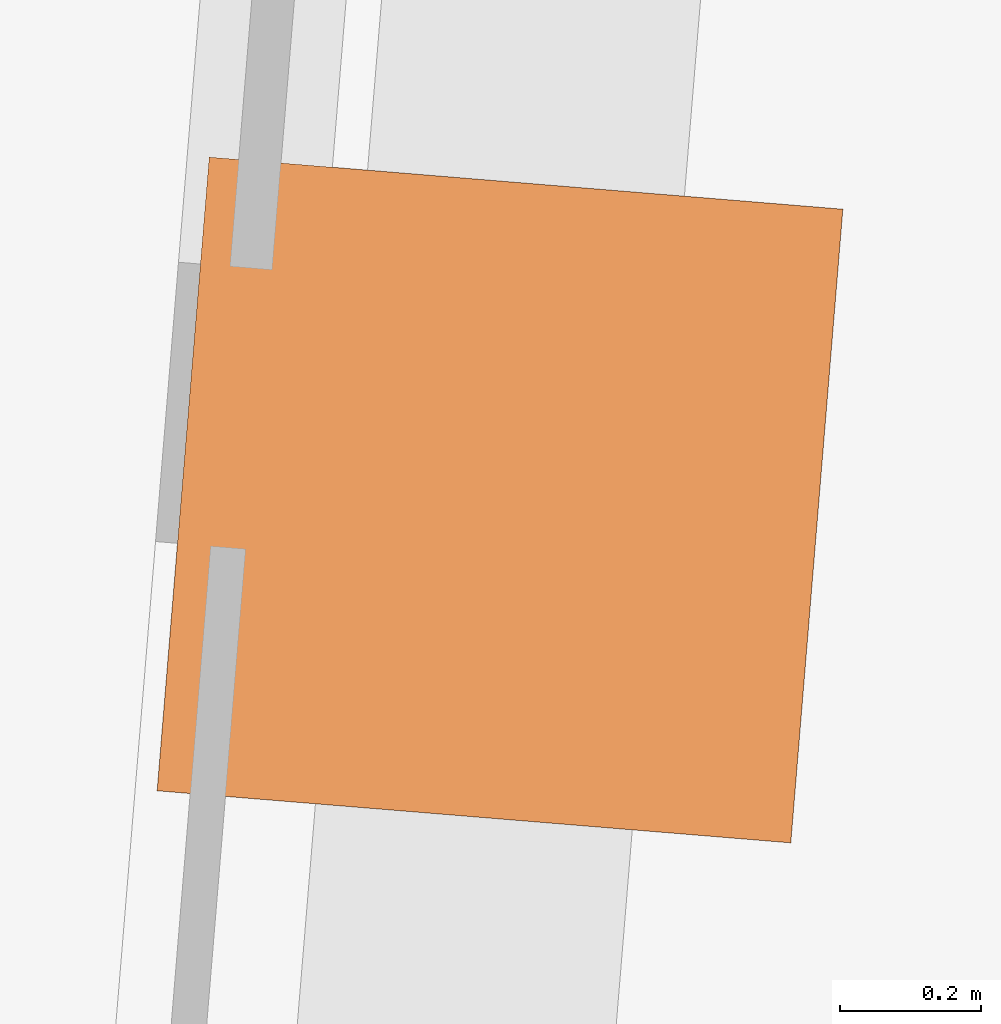
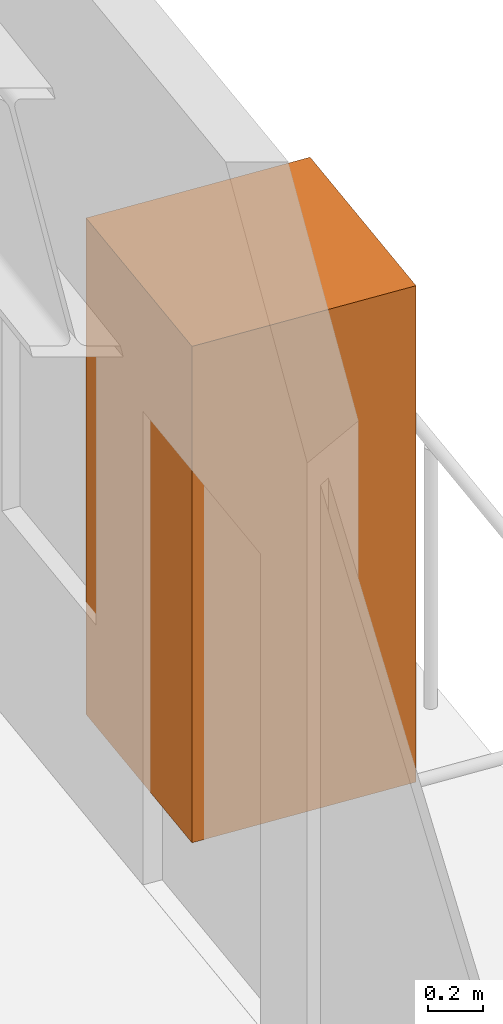
# One storey, part 9 of 9: 1 geographic element.
"""IFC4 building model written with IfcOpenShell, lengths in metres."""

from ifc_helpers import new_model, si_unit, direction, frame, origin, origin_2d, place, context, subcontext, project, spatial, rectangle, extrude, material, type_object, element, save


model = new_model("IFC4")

# Units and contexts
model_context = context("Model", 3, precision=1e-05, world=origin(), true_north=direction((0.0, 1.0)))
body_context = subcontext(model_context, "Body", "Model", "MODEL_VIEW")
ifc_project = project(units=[si_unit("LENGTHUNIT", "METRE"), si_unit("AREAUNIT", "SQUARE_METRE"), si_unit("VOLUMEUNIT", "CUBIC_METRE"), si_unit("PLANEANGLEUNIT", "RADIAN"), si_unit("MASSUNIT", "GRAM", prefix="KILO")], contexts=[model_context])

# Site, building, storey
site_placement = place(None, origin())
site = spatial("IfcSite", under=ifc_project, at=site_placement, CompositionType="ELEMENT")
building_placement = place(site_placement, origin())
building = spatial("IfcBuilding", under=site, at=building_placement, Name="Verdant Reach Tower", CompositionType="ELEMENT")
storey_placement = place(building_placement, frame((0.0, 0.0, 86.0)))
storey = spatial("IfcBuildingStorey", under=building, at=storey_placement, Name="L19", CompositionType="ELEMENT", Elevation=86.0)

# Geographic element
ifc_material = material(Name="Planting")
geographic_element_type = type_object("IfcGeographicElementType", Name="EN-TREE", PredefinedType="USERDEFINED", material=ifc_material)
geographic_element_placement = place(storey_placement, frame((24.1044921875, 42.398193359375, 0.39990234375), z_axis=(0.0, 0.0, 1.0), x_axis=(0.081915556724, 0.996639273542, 0.0)))
element("IfcGeographicElement", 1, at=geographic_element_placement, inside=storey, type_object=geographic_element_type, Name="Balcony tree, Surinam cherry (Eugenia uniflora), L19 1", ObjectType="TREE", PredefinedType="USERDEFINED", context=body_context, shape_type="SweptSolid", body=[
    extrude(rectangle(XDim=0.89990234375, YDim=0.89990234375, at=origin_2d()), origin(), (0.0, 0.0, 1.0), 2.199951171875),
])

save(model, "model.ifc")
